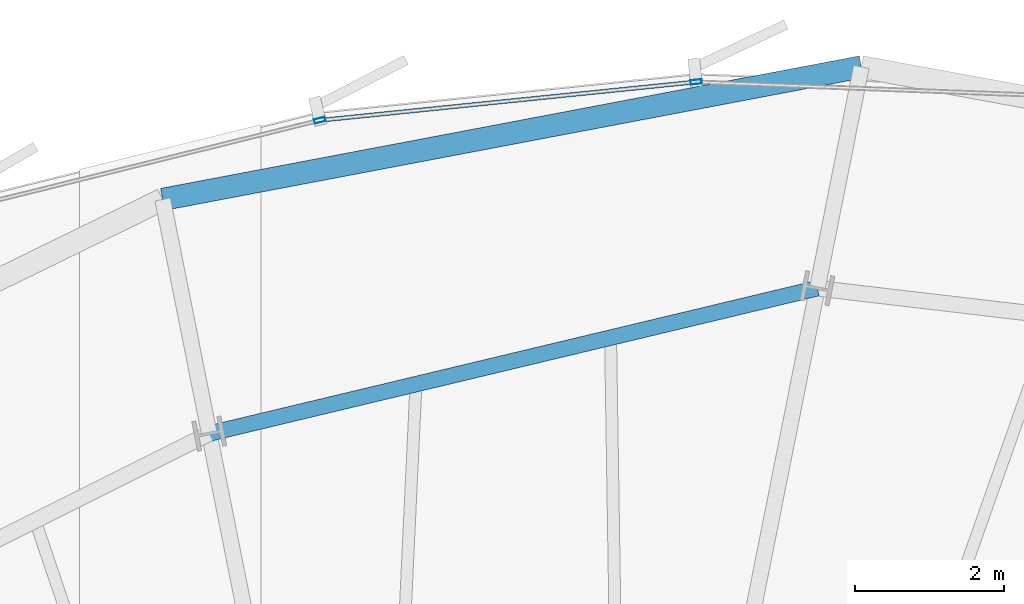
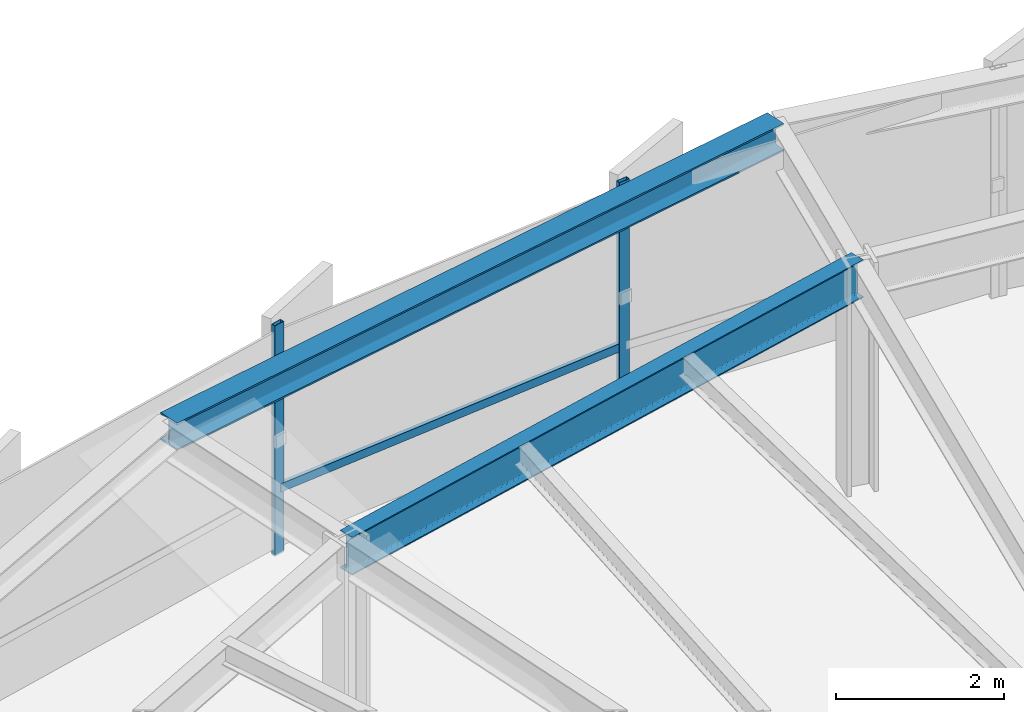
# One storey, part 22 of 35: 3 members, 2 beams, 1 element without a shape of its own.
"""IFC4 building model written with IfcOpenShell, lengths in metres."""

from ifc_helpers import new_model, si_unit, direction, frame, origin, origin_2d, place, context, subcontext, project, spatial, hollow_rectangle, i_section, extrude, source, transform, mapped, material, layer, layer_set, material_profile, profile_set, type_object, element, aggregate, save


model = new_model("IFC4")

# Units and contexts
model_context = context("Model", 3, precision=1e-05, world=origin(), true_north=direction((0.0, 1.0)))
body_context = subcontext(model_context, "Body", "Model", "MODEL_VIEW")
ifc_project = project(units=[si_unit("LENGTHUNIT", "METRE"), si_unit("AREAUNIT", "SQUARE_METRE"), si_unit("VOLUMEUNIT", "CUBIC_METRE"), si_unit("PLANEANGLEUNIT", "RADIAN"), si_unit("MASSUNIT", "GRAM", prefix="KILO"), si_unit("THERMODYNAMICTEMPERATUREUNIT", "KELVIN")], contexts=[model_context])

# Site, building, storey
site_placement = place(None, origin())
site = spatial("IfcSite", under=ifc_project, at=site_placement, CompositionType="ELEMENT")
building_placement = place(site_placement, origin())
building = spatial("IfcBuilding", under=site, at=building_placement, Name="Kethvar Cultural Tower", CompositionType="ELEMENT")
storey_placement = place(building_placement, frame((0.0, 0.0, 107.199951171875)))
storey = spatial("IfcBuildingStorey", under=building, at=storey_placement, Name="L26", CompositionType="ELEMENT", Elevation=107.199951171875)

# Beams
ifc_material_1 = material(Name="Steel S355J2", Category="steel")
ifc_material_profile_1 = material_profile(ifc_material_1, i_section(OverallWidth=0.2099609375, OverallDepth=0.550048828125, WebThickness=0.010986328125, FlangeThickness=0.01708984375, FilletRadius=0.02392578125, at=origin_2d()), Name="Steel S355J2 — IPE550")
ifc_profile_set_1 = profile_set([ifc_material_profile_1], Name="Steel S355J2 — IPE550")
beam_type_1 = type_object("IfcBeamType", Name="BM-IPE550", PredefinedType="BEAM", material=ifc_profile_set_1)
shared_shape_1 = source(origin(), body_context, "Body", "SweptSolid", [
    extrude(i_section(OverallWidth=0.2099609375, OverallDepth=0.550048828125, WebThickness=0.010986328125, FlangeThickness=0.01708984375, FilletRadius=0.02392578125, at=origin_2d()), origin(), (0.0, 0.0, 1.0), 8.379150390625),
])
beam_1_placement = place(storey_placement, frame((51.068603515625, 49.25927734375, 3.072998046875), z_axis=(-0.972601380857, -0.232479147355, 0.0), x_axis=(0.232479147355, -0.972601380857, 0.0)))
element("IfcBeam", 1, at=beam_1_placement, inside=storey, type_object=beam_type_1, Name="L26 Column Ring Tie Beam CR-04", PredefinedType="BEAM", context=body_context, shape_type="MappedRepresentation", body=[
    mapped(shared_shape_1, transform((0.0, 0.0, 0.0), scale=1.0)),
])
ifc_material_profile_2 = material_profile(ifc_material_1, i_section(OverallWidth=0.300048828125, OverallDepth=0.39990234375, WebThickness=0.013427734375, FlangeThickness=0.02392578125, FilletRadius=0.027099609375, at=origin_2d()), Name="Steel S355J2 — HEB400")
ifc_profile_set_2 = profile_set([ifc_material_profile_2], Name="Steel S355J2 — HEB400")
beam_type_2 = type_object("IfcBeamType", Name="BM-SP400", PredefinedType="SPANDREL", material=ifc_profile_set_2)
shared_shape_2 = source(origin(), body_context, "Body", "SweptSolid", [
    extrude(i_section(OverallWidth=0.300048828125, OverallDepth=0.39990234375, WebThickness=0.013427734375, FlangeThickness=0.02392578125, FilletRadius=0.027099609375, at=origin_2d()), origin(), (0.0, 0.0, 1.0), 9.530517578125),
])
beam_2_placement = place(storey_placement, frame((51.658447265625, 52.22509765625, 3.14794921875), z_axis=(-0.982496063979, -0.186283344039, 0.0), x_axis=(0.186283344039, -0.982496063979, 0.0)))
element("IfcBeam", 2, at=beam_2_placement, inside=storey, type_object=beam_type_2, Name="L26 Perimeter Spandrel Beam SP-04", PredefinedType="SPANDREL", context=body_context, shape_type="MappedRepresentation", body=[
    mapped(shared_shape_2, transform((0.0, 0.0, 0.0), scale=1.0)),
])

# Curtain wall, members
ifc_material_2 = material(Name="Aluminium 6063-T6", Category="aluminium")
ifc_layer = layer(ifc_material_2, 0.179931640625, Name="Aluminium 6063-T6", Category="aluminium")
ifc_layer_set = layer_set([ifc_layer], Name="Aluminium 6063-T6 (180 mm)")
curtain_wall_type = type_object("IfcCurtainWallType", Name="CW-SYS-03-Z2", PredefinedType="NOTDEFINED", material=ifc_layer_set)
curtain_wall_placement = place(storey_placement, origin())
curtain_wall = element("IfcCurtainWall", 3, at=curtain_wall_placement, inside=storey, type_object=curtain_wall_type, Name="L26 Curtain Wall Run 02", PredefinedType="NOTDEFINED")
ifc_material_profile_3 = material_profile(ifc_material_2, hollow_rectangle(XDim=0.06005859375, YDim=0.14990234375, WallThickness=0.0048828125, at=origin_2d()), Name="Aluminium 6063-T6 — RHS150x60x5")
ifc_profile_set_3 = profile_set([ifc_material_profile_3], Name="Aluminium 6063-T6 — RHS150x60x5")
member_type_1 = type_object("IfcMemberType", Name="CW-SYS-03-Z2-MUL", PredefinedType="MULLION", material=ifc_profile_set_3)
shared_shape_3 = source(origin(), body_context, "Body", "SweptSolid", [
    extrude(hollow_rectangle(XDim=0.06005859375, YDim=0.14990234375, WallThickness=0.0048828125, at=origin_2d()), origin(), (0.0, 0.0, 1.0), 3.35009765625),
])
member_1_placement = place(storey_placement, frame((49.44482421875, 52.024169921875, 0.0), z_axis=(0.0, 0.0, 1.0), x_axis=(0.101525112434, -0.994832976708, 0.0)))
member_1 = element("IfcMember", 4, at=member_1_placement, type_object=member_type_1, Name="CW-L26-R02 Mullion 2", PredefinedType="MULLION", context=body_context, shape_type="MappedRepresentation", body=[
    mapped(shared_shape_3, transform((0.0, 0.0, 0.0), scale=1.0)),
])
member_2_placement = place(storey_placement, frame((44.402099609375, 51.510498046875, 0.0), z_axis=(0.0, 0.0, 1.0), x_axis=(0.240465226085, -0.970657753816, 0.0)))
member_2 = element("IfcMember", 5, at=member_2_placement, type_object=member_type_1, Name="CW-L26-R02 Mullion 3", PredefinedType="MULLION", context=body_context, shape_type="MappedRepresentation", body=[
    mapped(shared_shape_3, transform((0.0, 0.0, 0.0), scale=1.0)),
])
ifc_material_profile_4 = material_profile(ifc_material_2, hollow_rectangle(XDim=0.054931640625, YDim=0.1201171875, WallThickness=0.00390625, at=origin_2d()), Name="Aluminium 6063-T6 — RHS120x55x4")
ifc_profile_set_4 = profile_set([ifc_material_profile_4], Name="Aluminium 6063-T6 — RHS120x55x4")
member_type_2 = type_object("IfcMemberType", Name="CW-SYS-03-Z2-TRN", PredefinedType="USERDEFINED", material=ifc_profile_set_4)
shared_shape_4 = source(origin(), body_context, "Body", "SweptSolid", [
    extrude(hollow_rectangle(XDim=0.054931640625, YDim=0.1201171875, WallThickness=0.00390625, at=origin_2d()), origin(), (0.0, 0.0, 1.0), 4.998779296875),
])
member_3_placement = place(storey_placement, frame((49.40185546875, 52.019775390625, 0.949951171875), z_axis=(-0.994831525028, -0.101539336272, 0.0), x_axis=(0.101539336272, -0.994831525028, 0.0)))
member_3 = element("IfcMember", 6, at=member_3_placement, type_object=member_type_2, Name="CW-L26-R02 Transom 2", ObjectType="TRANSOM", PredefinedType="USERDEFINED", context=body_context, shape_type="MappedRepresentation", body=[
    mapped(shared_shape_4, transform((0.0, 0.0, 0.0), scale=1.0)),
])
aggregate(curtain_wall, [member_1, member_2, member_3])

save(model, "model.ifc")
